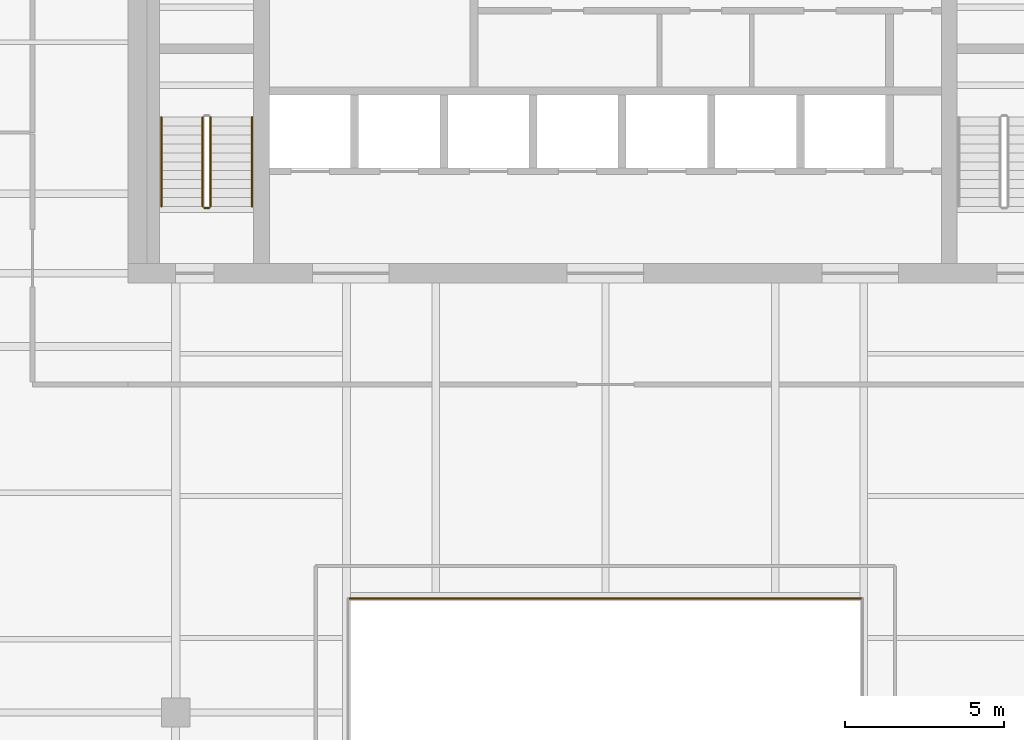
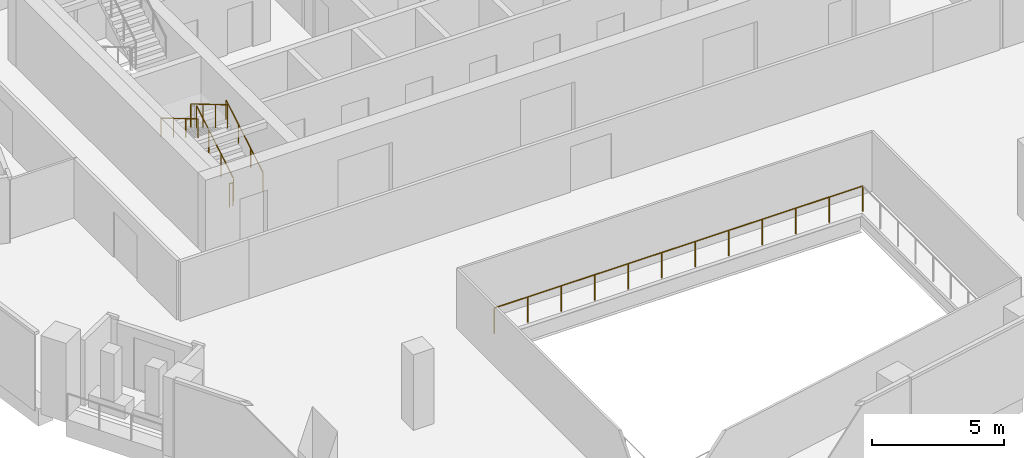
# One storey, part 20 of 24: 6 railings.
"""IFC4 building model written with IfcOpenShell, lengths in metres."""

from ifc_helpers import new_model, si_unit, direction, frame, origin, origin_2d, place, context, subcontext, project, spatial, circle, extrude, material, type_object, element, save


model = new_model("IFC4")

# Units and contexts
model_context = context("Model", 3, precision=1e-05, world=origin(), true_north=direction((0.0, 1.0)))
body_context = subcontext(model_context, "Body", "Model", "MODEL_VIEW")
ifc_project = project(units=[si_unit("LENGTHUNIT", "METRE"), si_unit("AREAUNIT", "SQUARE_METRE"), si_unit("VOLUMEUNIT", "CUBIC_METRE"), si_unit("PLANEANGLEUNIT", "RADIAN"), si_unit("MASSUNIT", "GRAM", prefix="KILO")], contexts=[model_context])

# Site, building, storey
site_placement = place(None, origin())
site = spatial("IfcSite", under=ifc_project, at=site_placement, CompositionType="ELEMENT")
building_placement = place(site_placement, origin())
building = spatial("IfcBuilding", under=site, at=building_placement, Name="Isthmus Gate Tower", CompositionType="ELEMENT")
storey_placement = place(building_placement, frame((0.0, 0.0, 219.949951171875)))
storey = spatial("IfcBuildingStorey", under=building, at=storey_placement, Name="L55", CompositionType="ELEMENT", Elevation=219.949951171875)

# Railings
ifc_material_1 = material(Name="Laminated toughened glass balustrade with steel rail", Category="steel")
railing_type_1 = type_object("IfcRailingType", Name="ATRIUM GUARD GLASS BALUSTRADE 1200", PredefinedType="GUARDRAIL", material=ifc_material_1)
railing_1_placement = place(storey_placement, frame((-8.080078125, -9.919921875, 0.0)))
element("IfcRailing", 1, at=railing_1_placement, inside=storey, type_object=railing_type_1, Name="L55 atrium guard", PredefinedType="GUARDRAIL", context=body_context, shape_type="SweptSolid", body=[
    extrude(circle(Radius=0.02490234375, at=origin_2d()), frame((0.0, 0.0, 1.1748046875), z_axis=(1.0, 0.0, 0.0), x_axis=(0.0, 1.0, 0.0)), (0.0, 0.0, 1.0), 16.16015625),
    extrude(circle(Radius=0.02490234375, at=origin_2d()), origin(), (0.0, 0.0, 1.0), 1.14990234375),
    extrude(circle(Radius=0.02490234375, at=origin_2d()), frame((1.468994140625, 0.0, 0.0)), (0.0, 0.0, 1.0), 1.14990234375),
    extrude(circle(Radius=0.02490234375, at=origin_2d()), frame((2.938232421875, 0.0, 0.0)), (0.0, 0.0, 1.0), 1.14990234375),
    extrude(circle(Radius=0.02490234375, at=origin_2d()), frame((4.4072265625, 0.0, 0.0)), (0.0, 0.0, 1.0), 1.14990234375),
    extrude(circle(Radius=0.02490234375, at=origin_2d()), frame((5.87646484375, 0.0, 0.0)), (0.0, 0.0, 1.0), 1.14990234375),
    extrude(circle(Radius=0.02490234375, at=origin_2d()), frame((7.345458984375, 0.0, 0.0)), (0.0, 0.0, 1.0), 1.14990234375),
    extrude(circle(Radius=0.02490234375, at=origin_2d()), frame((8.814697265625, 0.0, 0.0)), (0.0, 0.0, 1.0), 1.14990234375),
    extrude(circle(Radius=0.02490234375, at=origin_2d()), frame((10.28369140625, 0.0, 0.0)), (0.0, 0.0, 1.0), 1.14990234375),
    extrude(circle(Radius=0.02490234375, at=origin_2d()), frame((11.7529296875, 0.0, 0.0)), (0.0, 0.0, 1.0), 1.14990234375),
    extrude(circle(Radius=0.02490234375, at=origin_2d()), frame((13.221923828125, 0.0, 0.0)), (0.0, 0.0, 1.0), 1.14990234375),
    extrude(circle(Radius=0.02490234375, at=origin_2d()), frame((14.691162109375, 0.0, 0.0)), (0.0, 0.0, 1.0), 1.14990234375),
    extrude(circle(Radius=0.02490234375, at=origin_2d()), frame((16.16015625, 0.0, 0.0)), (0.0, 0.0, 1.0), 1.14990234375),
])
ifc_material_2 = material(Name="Stainless steel balustrade", Category="steel")
railing_type_2 = type_object("IfcRailingType", Name="STAIR GUARD 1100", PredefinedType="GUARDRAIL", material=ifc_material_2)
railing_2_placement = place(storey_placement, frame((-12.39990234375, 2.39990234375, 0.166015625)))
element("IfcRailing", 2, at=railing_2_placement, inside=storey, type_object=railing_type_2, Name="L55 ST7 stair guard 1", PredefinedType="GUARDRAIL", context=body_context, shape_type="SweptSolid", body=[
    extrude(circle(Radius=0.02392578125, at=origin_2d()), frame((0.0, 0.0, 1.076171875), z_axis=(0.0, 0.860339051648, 0.50972219513), x_axis=(-1.0, 0.0, 0.0)), (0.0, 0.0, 1.0), 3.254638671875),
    extrude(circle(Radius=0.02099609375, at=origin_2d()), origin(), (0.0, 0.0, 1.0), 1.052001953125),
    extrude(circle(Radius=0.02099609375, at=origin_2d()), frame((0.0, 0.933349609375, 0.552978515625)), (0.0, 0.0, 1.0), 1.052001953125),
    extrude(circle(Radius=0.02099609375, at=origin_2d()), frame((0.0, 1.86669921875, 1.10595703125)), (0.0, 0.0, 1.0), 1.052001953125),
    extrude(circle(Radius=0.02099609375, at=origin_2d()), frame((0.0, 2.800048828125, 1.658935546875)), (0.0, 0.0, 1.0), 1.052001953125),
])
railing_3_placement = place(storey_placement, frame((-12.64990234375, 5.199951171875, 1.990966796875)))
element("IfcRailing", 3, at=railing_3_placement, inside=storey, type_object=railing_type_2, Name="L55 ST7 stair guard 3", PredefinedType="GUARDRAIL", context=body_context, shape_type="SweptSolid", body=[
    extrude(circle(Radius=0.02392578125, at=origin_2d()), frame((0.0, 0.0, 1.076171875), z_axis=(0.0, -0.860306154799, 0.50977771628), x_axis=(1.0, 0.0, 0.0)), (0.0, 0.0, 1.0), 3.254638671875),
    extrude(circle(Radius=0.02099609375, at=origin_2d()), origin(), (0.0, 0.0, 1.0), 1.052001953125),
    extrude(circle(Radius=0.02099609375, at=origin_2d()), frame((0.0, -0.933349609375, 0.552978515625)), (0.0, 0.0, 1.0), 1.052001953125),
    extrude(circle(Radius=0.02099609375, at=origin_2d()), frame((0.0, -1.86669921875, 1.106201171875)), (0.0, 0.0, 1.0), 1.052001953125),
    extrude(circle(Radius=0.02099609375, at=origin_2d()), frame((0.0, -2.800048828125, 1.6591796875)), (0.0, 0.0, 1.0), 1.052001953125),
])
railing_4_placement = place(storey_placement, frame((-12.449951171875, 2.35009765625, 0.0)))
element("IfcRailing", 4, at=railing_4_placement, inside=storey, type_object=railing_type_2, Name="L55 ST7 stair guard 4", PredefinedType="GUARDRAIL", context=body_context, shape_type="SweptSolid", body=[
    extrude(circle(Radius=0.02392578125, at=origin_2d()), frame((0.0, 0.0, 1.076171875), z_axis=(-1.0, 0.0, 0.0), x_axis=(0.0, -1.0, 0.0)), (0.0, 0.0, 1.0), 0.150146484375),
    extrude(circle(Radius=0.02099609375, at=origin_2d()), origin(), (0.0, 0.0, 1.0), 1.052001953125),
    extrude(circle(Radius=0.02099609375, at=origin_2d()), frame((-0.150146484375, 0.0, 0.0)), (0.0, 0.0, 1.0), 1.052001953125),
])
ifc_material_3 = material(Name="Stainless steel handrail", Category="steel")
railing_type_3 = type_object("IfcRailingType", Name="STAIR HANDRAIL 900", PredefinedType="HANDRAIL", material=ifc_material_3)
railing_5_placement = place(storey_placement, frame((-11.10009765625, 2.39990234375, 0.166015625)))
element("IfcRailing", 5, at=railing_5_placement, inside=storey, type_object=railing_type_3, Name="L55 ST7 stair handrail 1", PredefinedType="HANDRAIL", context=body_context, shape_type="SweptSolid", body=[
    extrude(circle(Radius=0.02392578125, at=origin_2d()), frame((0.0, 0.0, 0.8759765625), z_axis=(0.0, 0.860339051648, 0.50972219513), x_axis=(-1.0, 0.0, 0.0)), (0.0, 0.0, 1.0), 3.254638671875),
    extrude(circle(Radius=0.02099609375, at=origin_2d()), origin(), (0.0, 0.0, 1.0), 0.851806640625),
    extrude(circle(Radius=0.02099609375, at=origin_2d()), frame((0.0, 0.933349609375, 0.552978515625)), (0.0, 0.0, 1.0), 0.851806640625),
    extrude(circle(Radius=0.02099609375, at=origin_2d()), frame((0.0, 1.86669921875, 1.10595703125)), (0.0, 0.0, 1.0), 0.851806640625),
    extrude(circle(Radius=0.02099609375, at=origin_2d()), frame((0.0, 2.800048828125, 1.658935546875)), (0.0, 0.0, 1.0), 0.851806640625),
])
railing_6_placement = place(storey_placement, frame((-13.949951171875, 5.199951171875, 1.990966796875)))
element("IfcRailing", 6, at=railing_6_placement, inside=storey, type_object=railing_type_3, Name="L55 ST7 stair handrail 2", PredefinedType="HANDRAIL", context=body_context, shape_type="SweptSolid", body=[
    extrude(circle(Radius=0.02392578125, at=origin_2d()), frame((0.0, 0.0, 0.8759765625), z_axis=(0.0, -0.860306154799, 0.50977771628), x_axis=(1.0, 0.0, 0.0)), (0.0, 0.0, 1.0), 3.254638671875),
    extrude(circle(Radius=0.02099609375, at=origin_2d()), origin(), (0.0, 0.0, 1.0), 0.851806640625),
    extrude(circle(Radius=0.02099609375, at=origin_2d()), frame((0.0, -0.933349609375, 0.552978515625)), (0.0, 0.0, 1.0), 0.851806640625),
    extrude(circle(Radius=0.02099609375, at=origin_2d()), frame((0.0, -1.86669921875, 1.106201171875)), (0.0, 0.0, 1.0), 0.851806640625),
    extrude(circle(Radius=0.02099609375, at=origin_2d()), frame((0.0, -2.800048828125, 1.6591796875)), (0.0, 0.0, 1.0), 0.851806640625),
])

save(model, "model.ifc")
